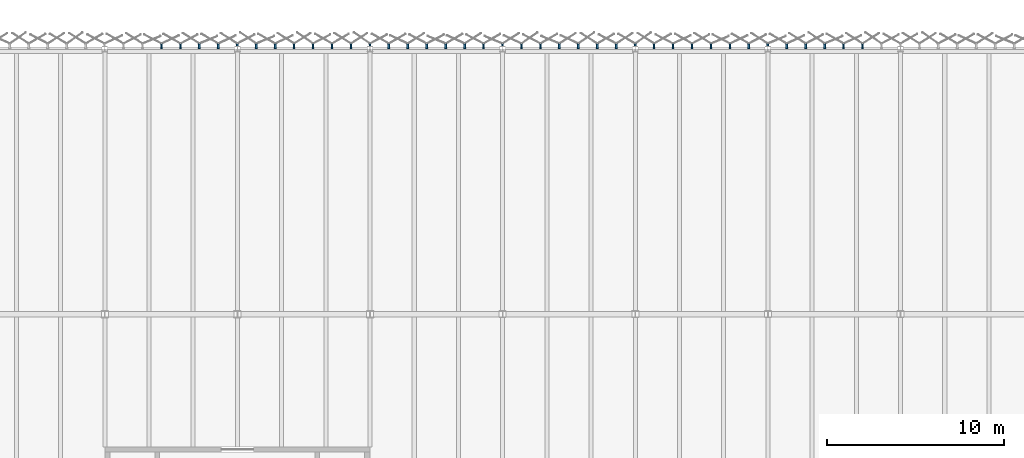
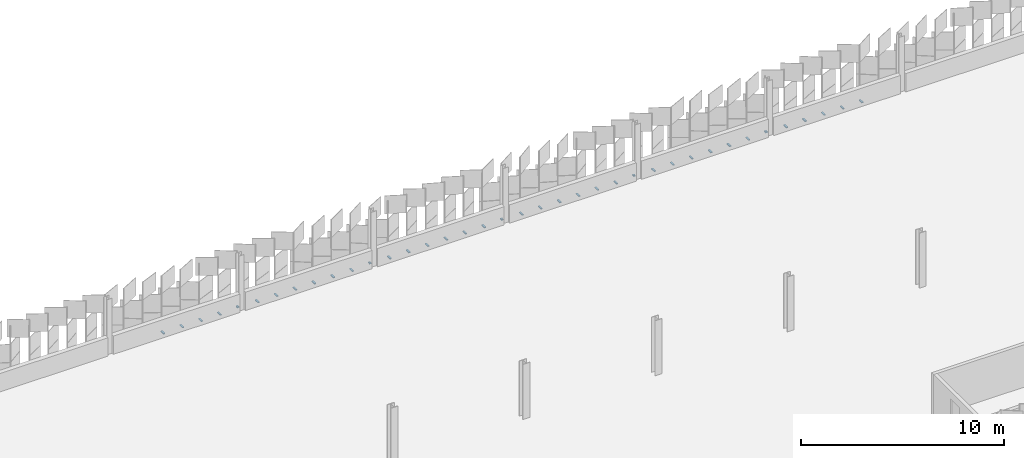
# One storey, part 175 of 198: 38 discrete accessories.
"""IFC4 building model written with IfcOpenShell, lengths in metres."""

from ifc_helpers import new_model, si_unit, direction, frame, origin, origin_2d, place, context, subcontext, project, spatial, rectangle, extrude, material, type_object, element, save


model = new_model("IFC4")

# Units and contexts
model_context = context("Model", 3, precision=1e-05, world=origin(), true_north=direction((0.0, 1.0)))
body_context = subcontext(model_context, "Body", "Model", "MODEL_VIEW")
ifc_project = project(units=[si_unit("LENGTHUNIT", "METRE"), si_unit("AREAUNIT", "SQUARE_METRE"), si_unit("VOLUMEUNIT", "CUBIC_METRE"), si_unit("PLANEANGLEUNIT", "RADIAN"), si_unit("MASSUNIT", "GRAM", prefix="KILO")], contexts=[model_context])

# Site, building, storey
site_placement = place(None, origin())
site = spatial("IfcSite", under=ifc_project, at=site_placement, CompositionType="ELEMENT")
building_placement = place(site_placement, origin())
building = spatial("IfcBuilding", under=site, at=building_placement, Name="Parallax Yard Mobility Hub", CompositionType="ELEMENT")
storey_placement = place(building_placement, frame((0.0, 0.0, 6.60009765625)))
storey = spatial("IfcBuildingStorey", under=building, at=storey_placement, Name="L02", CompositionType="ELEMENT", Elevation=6.60009765625)

# Discrete accessories
ifc_material = material(Name="Steel ASTM A36, hot-dip galvanised", Category="steel")
discrete_accessory_type = type_object("IfcDiscreteAccessoryType", Name="Hinge bracket plate 100x50", PredefinedType="BRACKET", material=ifc_material)
for number, where, z_axis, x_axis, name in (
    (1, (110.351806640625, 142.6416015625, -0.02490234375), (0.0, 0.0, 1.0), (0.0, 1.0, 0.0), "Hinge bracket plate bay 59.3 level L02"),
    (2, (109.280029296875, 142.6416015625, -0.02490234375), (0.0, 0.0, 1.0), (0.0, 1.0, 0.0), "Hinge bracket plate bay 59.4 level L02"),
    (3, (108.20849609375, 142.6416015625, -0.02490234375), (0.0, 0.0, 1.0), (0.0, 1.0, 0.0), "Hinge bracket plate bay 59.5 level L02"),
    (4, (107.136962890625, 142.6416015625, -0.02490234375), (0.0, 0.0, 1.0), (0.0, 1.0, 0.0), "Hinge bracket plate bay 59.6 level L02"),
    (5, (106.0654296875, 142.6416015625, -0.02490234375), (0.0, 0.0, 1.0), (0.0, 1.0, 0.0), "Hinge bracket plate bay 59.7 level L02"),
):
    element("IfcDiscreteAccessory", number, at=place(storey_placement, frame(where, z_axis=z_axis, x_axis=x_axis)), inside=storey, type_object=discrete_accessory_type, Name=name, PredefinedType="BRACKET", context=body_context, shape_type="SweptSolid", body=[
        extrude(rectangle(XDim=0.2841796875, YDim=0.10009765625, at=origin_2d()), origin(), (0.0, 0.0, 1.0), 0.050048828125),
    ])
discrete_accessory_1_placement = place(storey_placement, frame((104.993896484375, 142.71826171875, -0.02490234375), z_axis=(0.0, 0.0, 1.0), x_axis=(0.0, 1.0, 0.0)))
element("IfcDiscreteAccessory", 6, at=discrete_accessory_1_placement, inside=storey, type_object=discrete_accessory_type, Name="Hinge bracket plate bay 60.1 level L02", PredefinedType="BRACKET", context=body_context, shape_type="SweptSolid", body=[
    extrude(rectangle(XDim=0.130615234375, YDim=0.10009765625, at=origin_2d()), origin(), (0.0, 0.0, 1.0), 0.050048828125),
])
for number, where, z_axis, x_axis, name in (
    (7, (103.92236328125, 142.6416015625, -0.02490234375), (0.0, 0.0, 1.0), (0.0, 1.0, 0.0), "Hinge bracket plate bay 60.2 level L02"),
    (8, (102.850830078125, 142.6416015625, -0.02490234375), (0.0, 0.0, 1.0), (0.0, 1.0, 0.0), "Hinge bracket plate bay 60.3 level L02"),
    (9, (101.779296875, 142.6416015625, -0.02490234375), (0.0, 0.0, 1.0), (0.0, 1.0, 0.0), "Hinge bracket plate bay 60.4 level L02"),
    (10, (100.707763671875, 142.6416015625, -0.02490234375), (0.0, 0.0, 1.0), (0.0, 1.0, 0.0), "Hinge bracket plate bay 60.5 level L02"),
    (11, (99.635986328125, 142.6416015625, -0.02490234375), (0.0, 0.0, 1.0), (0.0, 1.0, 0.0), "Hinge bracket plate bay 60.6 level L02"),
    (12, (98.564453125, 142.6416015625, -0.02490234375), (0.0, 0.0, 1.0), (0.0, 1.0, 0.0), "Hinge bracket plate bay 60.7 level L02"),
):
    element("IfcDiscreteAccessory", number, at=place(storey_placement, frame(where, z_axis=z_axis, x_axis=x_axis)), inside=storey, type_object=discrete_accessory_type, Name=name, PredefinedType="BRACKET", context=body_context, shape_type="SweptSolid", body=[
        extrude(rectangle(XDim=0.2841796875, YDim=0.10009765625, at=origin_2d()), origin(), (0.0, 0.0, 1.0), 0.050048828125),
    ])
discrete_accessory_2_placement = place(storey_placement, frame((97.492919921875, 142.71826171875, -0.02490234375), z_axis=(0.0, 0.0, 1.0), x_axis=(0.0, 1.0, 0.0)))
element("IfcDiscreteAccessory", 13, at=discrete_accessory_2_placement, inside=storey, type_object=discrete_accessory_type, Name="Hinge bracket plate bay 61.1 level L02", PredefinedType="BRACKET", context=body_context, shape_type="SweptSolid", body=[
    extrude(rectangle(XDim=0.130615234375, YDim=0.10009765625, at=origin_2d()), origin(), (0.0, 0.0, 1.0), 0.050048828125),
])
for number, where, z_axis, x_axis, name in (
    (14, (96.42138671875, 142.6416015625, -0.02490234375), (0.0, 0.0, 1.0), (0.0, 1.0, 0.0), "Hinge bracket plate bay 61.2 level L02"),
    (15, (95.349853515625, 142.6416015625, -0.02490234375), (0.0, 0.0, 1.0), (0.0, 1.0, 0.0), "Hinge bracket plate bay 61.3 level L02"),
    (16, (94.2783203125, 142.6416015625, -0.02490234375), (0.0, 0.0, 1.0), (0.0, 1.0, 0.0), "Hinge bracket plate bay 61.4 level L02"),
    (17, (93.206787109375, 142.6416015625, -0.02490234375), (0.0, 0.0, 1.0), (0.0, 1.0, 0.0), "Hinge bracket plate bay 61.5 level L02"),
    (18, (92.13525390625, 142.6416015625, -0.02490234375), (0.0, 0.0, 1.0), (0.0, 1.0, 0.0), "Hinge bracket plate bay 61.6 level L02"),
    (19, (91.063720703125, 142.6416015625, -0.02490234375), (0.0, 0.0, 1.0), (0.0, 1.0, 0.0), "Hinge bracket plate bay 61.7 level L02"),
):
    element("IfcDiscreteAccessory", number, at=place(storey_placement, frame(where, z_axis=z_axis, x_axis=x_axis)), inside=storey, type_object=discrete_accessory_type, Name=name, PredefinedType="BRACKET", context=body_context, shape_type="SweptSolid", body=[
        extrude(rectangle(XDim=0.2841796875, YDim=0.10009765625, at=origin_2d()), origin(), (0.0, 0.0, 1.0), 0.050048828125),
    ])
discrete_accessory_3_placement = place(storey_placement, frame((89.9921875, 142.71826171875, -0.02490234375), z_axis=(0.0, 0.0, 1.0), x_axis=(0.0, 1.0, 0.0)))
element("IfcDiscreteAccessory", 20, at=discrete_accessory_3_placement, inside=storey, type_object=discrete_accessory_type, Name="Hinge bracket plate bay 62.1 level L02", PredefinedType="BRACKET", context=body_context, shape_type="SweptSolid", body=[
    extrude(rectangle(XDim=0.130615234375, YDim=0.10009765625, at=origin_2d()), origin(), (0.0, 0.0, 1.0), 0.050048828125),
])
for number, where, z_axis, x_axis, name in (
    (21, (88.92041015625, 142.6416015625, -0.02490234375), (0.0, 0.0, 1.0), (0.0, 1.0, 0.0), "Hinge bracket plate bay 62.2 level L02"),
    (22, (87.84912109375, 142.6416015625, -0.02490234375), (0.0, 0.0, 1.0), (0.0, 1.0, 0.0), "Hinge bracket plate bay 62.3 level L02"),
    (23, (86.77734375, 142.6416015625, -0.02490234375), (0.0, 0.0, 1.0), (0.0, 1.0, 0.0), "Hinge bracket plate bay 62.4 level L02"),
    (24, (85.705810546875, 142.6416015625, -0.02490234375), (0.0, 0.0, 1.0), (0.0, 1.0, 0.0), "Hinge bracket plate bay 62.5 level L02"),
    (25, (84.63427734375, 142.6416015625, -0.02490234375), (0.0, 0.0, 1.0), (0.0, 1.0, 0.0), "Hinge bracket plate bay 62.6 level L02"),
    (26, (83.562744140625, 142.6416015625, -0.02490234375), (0.0, 0.0, 1.0), (0.0, 1.0, 0.0), "Hinge bracket plate bay 62.7 level L02"),
):
    element("IfcDiscreteAccessory", number, at=place(storey_placement, frame(where, z_axis=z_axis, x_axis=x_axis)), inside=storey, type_object=discrete_accessory_type, Name=name, PredefinedType="BRACKET", context=body_context, shape_type="SweptSolid", body=[
        extrude(rectangle(XDim=0.2841796875, YDim=0.10009765625, at=origin_2d()), origin(), (0.0, 0.0, 1.0), 0.050048828125),
    ])
discrete_accessory_4_placement = place(storey_placement, frame((82.4912109375, 142.71826171875, -0.02490234375), z_axis=(0.0, 0.0, 1.0), x_axis=(0.0, 1.0, 0.0)))
element("IfcDiscreteAccessory", 27, at=discrete_accessory_4_placement, inside=storey, type_object=discrete_accessory_type, Name="Hinge bracket plate bay 63.1 level L02", PredefinedType="BRACKET", context=body_context, shape_type="SweptSolid", body=[
    extrude(rectangle(XDim=0.130615234375, YDim=0.10009765625, at=origin_2d()), origin(), (0.0, 0.0, 1.0), 0.050048828125),
])
for number, where, z_axis, x_axis, name in (
    (28, (81.419677734375, 142.6416015625, -0.02490234375), (0.0, 0.0, 1.0), (0.0, 1.0, 0.0), "Hinge bracket plate bay 63.2 level L02"),
    (29, (80.34814453125, 142.6416015625, -0.02490234375), (0.0, 0.0, 1.0), (0.0, 1.0, 0.0), "Hinge bracket plate bay 63.3 level L02"),
    (30, (79.276611328125, 142.6416015625, -0.02490234375), (0.0, 0.0, 1.0), (0.0, 1.0, 0.0), "Hinge bracket plate bay 63.4 level L02"),
    (31, (78.205078125, 142.6416015625, -0.02490234375), (0.0, 0.0, 1.0), (0.0, 1.0, 0.0), "Hinge bracket plate bay 63.5 level L02"),
    (32, (77.13330078125, 142.6416015625, -0.02490234375), (0.0, 0.0, 1.0), (0.0, 1.0, 0.0), "Hinge bracket plate bay 63.6 level L02"),
    (33, (76.06201171875, 142.6416015625, -0.02490234375), (0.0, 0.0, 1.0), (0.0, 1.0, 0.0), "Hinge bracket plate bay 63.7 level L02"),
):
    element("IfcDiscreteAccessory", number, at=place(storey_placement, frame(where, z_axis=z_axis, x_axis=x_axis)), inside=storey, type_object=discrete_accessory_type, Name=name, PredefinedType="BRACKET", context=body_context, shape_type="SweptSolid", body=[
        extrude(rectangle(XDim=0.2841796875, YDim=0.10009765625, at=origin_2d()), origin(), (0.0, 0.0, 1.0), 0.050048828125),
    ])
discrete_accessory_5_placement = place(storey_placement, frame((74.990234375, 142.71826171875, -0.02490234375), z_axis=(0.0, 0.0, 1.0), x_axis=(0.0, 1.0, 0.0)))
element("IfcDiscreteAccessory", 34, at=discrete_accessory_5_placement, inside=storey, type_object=discrete_accessory_type, Name="Hinge bracket plate bay 64.1 level L02", PredefinedType="BRACKET", context=body_context, shape_type="SweptSolid", body=[
    extrude(rectangle(XDim=0.130615234375, YDim=0.10009765625, at=origin_2d()), origin(), (0.0, 0.0, 1.0), 0.050048828125),
])
for number, where, z_axis, x_axis, name in (
    (35, (73.918701171875, 142.6416015625, -0.02490234375), (0.0, 0.0, 1.0), (0.0, 1.0, 0.0), "Hinge bracket plate bay 64.2 level L02"),
    (36, (72.84716796875, 142.6416015625, -0.02490234375), (0.0, 0.0, 1.0), (0.0, 1.0, 0.0), "Hinge bracket plate bay 64.3 level L02"),
    (37, (71.775634765625, 142.6416015625, -0.02490234375), (0.0, 0.0, 1.0), (0.0, 1.0, 0.0), "Hinge bracket plate bay 64.4 level L02"),
    (38, (70.7041015625, 142.6416015625, -0.02490234375), (0.0, 0.0, 1.0), (0.0, 1.0, 0.0), "Hinge bracket plate bay 64.5 level L02"),
):
    element("IfcDiscreteAccessory", number, at=place(storey_placement, frame(where, z_axis=z_axis, x_axis=x_axis)), inside=storey, type_object=discrete_accessory_type, Name=name, PredefinedType="BRACKET", context=body_context, shape_type="SweptSolid", body=[
        extrude(rectangle(XDim=0.2841796875, YDim=0.10009765625, at=origin_2d()), origin(), (0.0, 0.0, 1.0), 0.050048828125),
    ])

save(model, "model.ifc")
